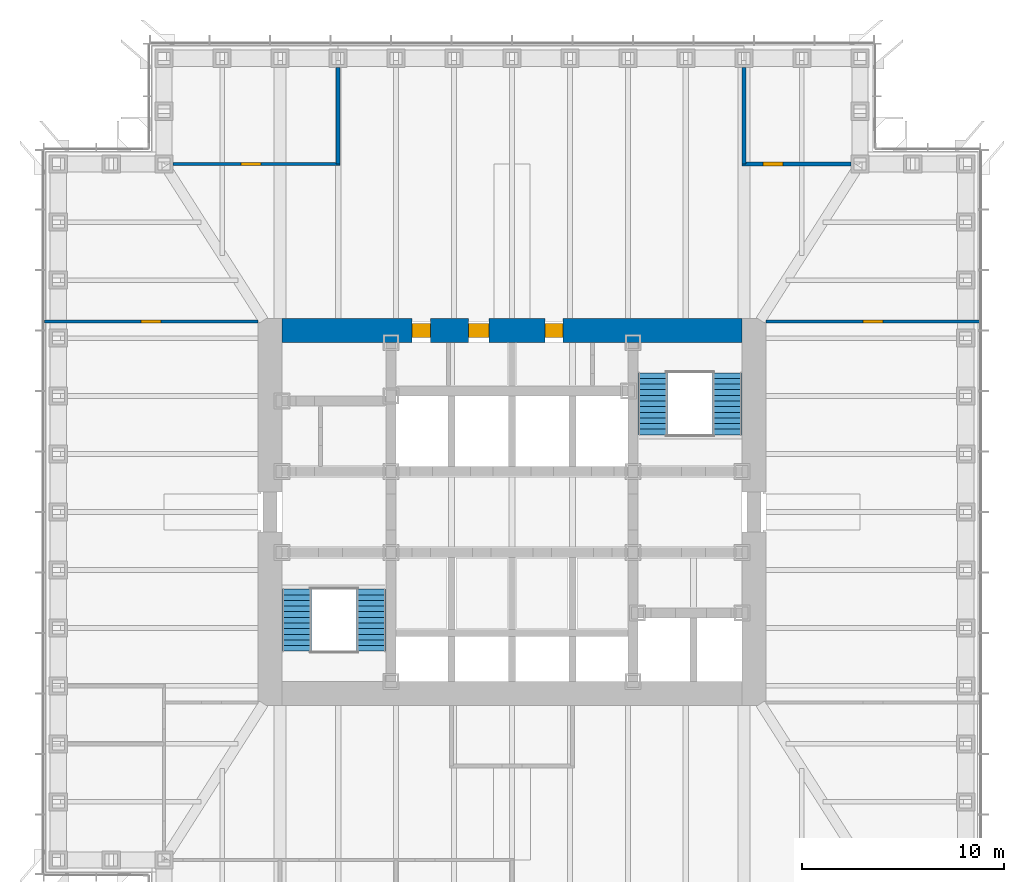
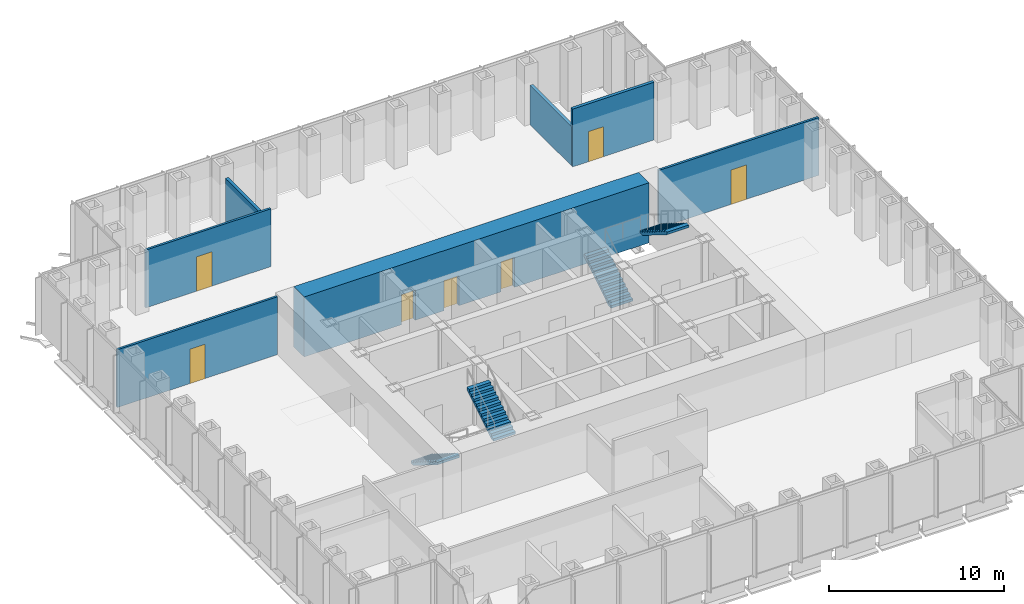
# One storey, part 10 of 17: 7 doors, 7 walls, 4 stair flights, 7 openings, 2 elements without a shape of their own.
"""IFC4 building model written with IfcOpenShell, lengths in metres."""

import ifcopenshell
import ifcopenshell.guid

model = None  # the IFC model being written
_history = None  # IfcOwnerHistory: only IFC2X3 demands one
_inside = {}  # id of a spatial element -> (the spatial element, [elements in it])
_under = {}  # id of a project, library or spatial element -> (it, [spatial elements below it])
_declared = {}  # id of a project -> (the project, [libraries it declares])
_typed = {}  # id of a type object -> (the type object, [elements of that type])
_made_of = {}  # id of a material, layer set ... -> (it, [elements and type objects made of it])


def new_model(schema):
    """Start an empty IFC model of exactly this schema.

    Asked for "IFC4X3", IfcOpenShell would pick the latest addendum, in which some entities
    have other attributes; the version numbers below select the first issue.
    IFC2X3 requires an IfcOwnerHistory on every rooted entity: one is made here for all.
    """
    global model, _history
    if schema == "IFC4X3":
        model = ifcopenshell.file(schema_version=(4, 3, 0, 0))
    else:
        model = ifcopenshell.file(schema=schema)
    _inside.clear()
    _under.clear()
    _declared.clear()
    _typed.clear()
    _made_of.clear()
    _history = None
    if model.schema == "IFC2X3":
        org = make("IfcOrganization", Name="unknown")
        user = make(
            "IfcPersonAndOrganization",
            ThePerson=make("IfcPerson", FamilyName="unknown"),
            TheOrganization=org,
        )
        app = make(
            "IfcApplication",
            ApplicationDeveloper=org,
            Version="unknown",
            ApplicationFullName="unknown",
            ApplicationIdentifier="unknown",
        )
        _history = make(
            "IfcOwnerHistory",
            OwningUser=user,
            OwningApplication=app,
            ChangeAction="ADDED",
            CreationDate=0,
        )
    return model


def make(cls, **values):
    """One entity of the class cls with the attributes given. An attribute that is None is left unset."""
    return model.create_entity(
        cls, **{name: value for name, value in values.items() if value is not None}
    )


def rooted(cls, **values):
    """An entity with a GlobalId (a new one), such as an element, a storey or a relation."""
    return make(cls, GlobalId=ifcopenshell.guid.new(), OwnerHistory=_history, **values)


def si_unit(unit_type, name, prefix=None):
    """IfcSIUnit, for example si_unit("LENGTHUNIT", "METRE", prefix="MILLI")."""
    return make("IfcSIUnit", UnitType=unit_type, Prefix=prefix, Name=name)


def assignment(units):
    """IfcUnitAssignment: the units of a project."""
    return None if units is None else make("IfcUnitAssignment", Units=units)


def point(xyz):
    """IfcCartesianPoint."""
    return None if xyz is None else make("IfcCartesianPoint", Coordinates=xyz)


def direction(xyz):
    """IfcDirection."""
    return None if xyz is None else make("IfcDirection", DirectionRatios=xyz)


def frame(location, z_axis=None, x_axis=None):
    """IfcAxis2Placement3D, a coordinate frame: its origin and axes. An axis left out is left unset."""
    return make(
        "IfcAxis2Placement3D",
        Location=point(location),
        Axis=direction(z_axis),
        RefDirection=direction(x_axis),
    )


def frame_2d(location, x_axis=None):
    """IfcAxis2Placement2D, a coordinate frame in the plane: its origin and x axis."""
    return make(
        "IfcAxis2Placement2D", Location=point(location), RefDirection=direction(x_axis)
    )


def origin():
    """The frame at (0, 0, 0) with its axes left unset."""
    return frame((0.0, 0.0, 0.0))


def place(relative_to, where):
    """IfcLocalPlacement: puts the frame where relative to a parent placement (None: the world)."""
    return make(
        "IfcLocalPlacement", PlacementRelTo=relative_to, RelativePlacement=where
    )


def context(
    kind, dimensions, precision=None, world=None, true_north=None, identifier=None
):
    """IfcGeometricRepresentationContext, for example the 3D "Model" context."""
    return make(
        "IfcGeometricRepresentationContext",
        ContextIdentifier=identifier,
        ContextType=kind,
        CoordinateSpaceDimension=dimensions,
        Precision=precision,
        WorldCoordinateSystem=world,
        TrueNorth=true_north,
    )


def subcontext(parent, identifier, kind, view, scale=None):
    """IfcGeometricRepresentationSubContext, for example "Body" below "Model"."""
    return make(
        "IfcGeometricRepresentationSubContext",
        ContextIdentifier=identifier,
        ContextType=kind,
        ParentContext=parent,
        TargetScale=scale,
        TargetView=view,
    )


def project(units=None, contexts=None):
    """IfcProject with its units and contexts."""
    return rooted(
        "IfcProject",
        Name="project",
        RepresentationContexts=contexts,
        UnitsInContext=assignment(units),
    )


def spatial(cls, under=None, at=None, **own):
    """A site, building, storey or space (cls), placed at a placement, below another one or the project."""
    s = rooted(cls, ObjectPlacement=at, **own)
    if under is not None:
        _under.setdefault(under.id(), (under, []))[1].append(s)
    return s


def polyline(points):
    """IfcPolyline through the points."""
    return make("IfcPolyline", Points=[point(p) for p in points])


def profile(cls, at=None, kind="AREA", **sizes):
    """A parametric profile (cls). Its sizes go by their IFC names, for example OverallWidth=200.0."""
    return make(cls, ProfileType=kind, Position=at, **sizes)


def rectangle(**sizes):
    """IfcRectangleProfileDef."""
    return profile("IfcRectangleProfileDef", **sizes)


def outline(outer, holes=None, kind="AREA"):
    """IfcArbitraryClosedProfileDef: a profile drawn as a closed curve; with holes, ...WithVoids."""
    if holes is None:
        return make("IfcArbitraryClosedProfileDef", ProfileType=kind, OuterCurve=outer)
    return make(
        "IfcArbitraryProfileDefWithVoids",
        ProfileType=kind,
        OuterCurve=outer,
        InnerCurves=holes,
    )


def extrude(swept, where, along, depth):
    """IfcExtrudedAreaSolid: the profile swept, set in the frame where, extruded along a direction by depth."""
    return make(
        "IfcExtrudedAreaSolid",
        SweptArea=swept,
        Position=where,
        ExtrudedDirection=direction(along),
        Depth=depth,
    )


def shape(context_of_items, identifier, shape_type, items):
    """IfcShapeRepresentation: the items that make up one representation, for example the "Body"."""
    return make(
        "IfcShapeRepresentation",
        ContextOfItems=context_of_items,
        RepresentationIdentifier=identifier,
        RepresentationType=shape_type,
        Items=items,
    )


def material(Name=None, Category=None):
    """IfcMaterial."""
    return make("IfcMaterial", Name=Name, Category=Category)


def layer(
    of_material, thickness, ventilated=None, Name=None, Category=None, Priority=None
):
    """IfcMaterialLayer: one layer of a wall or slab, of a material (None: an air gap)."""
    return make(
        "IfcMaterialLayer",
        Material=of_material,
        LayerThickness=thickness,
        IsVentilated=ventilated,
        Name=Name,
        Category=Category,
        Priority=Priority,
    )


def layer_set(layers, Name=None):
    """IfcMaterialLayerSet."""
    return make("IfcMaterialLayerSet", MaterialLayers=layers, LayerSetName=Name)


def made_of(thing, what):
    """Note that an element or type object is made of a material, layer set ...; save() writes the relation."""
    if what is not None:
        _made_of.setdefault(what.id(), (what, []))[1].append(thing)
    return thing


def type_object(cls, material=None, **own):
    """A type object (cls), such as IfcWallType, which elements share."""
    return made_of(rooted(cls, **own), material)


def element(
    cls,
    number,
    at=None,
    inside=None,
    cuts=None,
    type_object=None,
    material=None,
    context=None,
    identifier="Body",
    shape_type=None,
    held_by="IfcProductDefinitionShape",
    body=None,
    shapes=None,
    **own,
):
    """One element of the class cls, such as IfcWall. Its Tag is "e" and its number.

    at: its placement. inside: the storey or other place that contains it. cuts: it is an
    opening in that element (IfcRelVoidsElement). A single representation is given by context,
    identifier, shape_type and body (its items); several are given by shapes. held_by: the class
    of the entity that holds the representations. save() writes the other relations.
    """
    e = rooted(cls, Tag="e%d" % number, ObjectPlacement=at, **own)
    if body is not None:
        shapes = [shape(context, identifier, shape_type, body)]
    if shapes is not None:
        e.Representation = make(held_by, Representations=shapes)
    if inside is not None:
        _inside.setdefault(inside.id(), (inside, []))[1].append(e)
    if cuts is not None:
        rooted(
            "IfcRelVoidsElement", RelatingBuildingElement=cuts, RelatedOpeningElement=e
        )
    if type_object is not None:
        _typed.setdefault(type_object.id(), (type_object, []))[1].append(e)
    return made_of(e, material)


def fill(opening, filler):
    """IfcRelFillsElement: the door or window that sits in an opening."""
    return rooted(
        "IfcRelFillsElement",
        RelatingOpeningElement=opening,
        RelatedBuildingElement=filler,
    )


def aggregate(whole, parts):
    """IfcRelAggregates: a whole, such as a stair, and the parts it consists of."""
    return rooted("IfcRelAggregates", RelatingObject=whole, RelatedObjects=parts)


def save(model, path):
    """Write the relations noted so far, then the file.

    IfcRelAggregates (storeys below a building ...), IfcRelContainedInSpatialStructure (elements
    in a storey), IfcRelDefinesByType, IfcRelAssociatesMaterial and IfcRelDeclares: one each for
    every whole, place, type object, material and project.
    """
    for whole, parts in _under.values():
        aggregate(whole, parts)
    for where, things in _inside.values():
        rooted(
            "IfcRelContainedInSpatialStructure",
            RelatedElements=things,
            RelatingStructure=where,
        )
    for kind, things in _typed.values():
        rooted("IfcRelDefinesByType", RelatedObjects=things, RelatingType=kind)
    for what, things in _made_of.values():
        rooted("IfcRelAssociatesMaterial", RelatedObjects=things, RelatingMaterial=what)
    for by, libraries in _declared.values():
        rooted("IfcRelDeclares", RelatingContext=by, RelatedDefinitions=libraries)
    model.write(path)


model = new_model("IFC4")

# Units and contexts
model_context = context("Model", 3, precision=1e-05, world=origin(), true_north=direction((0.0, 1.0)))
body_context = subcontext(model_context, "Body", "Model", "MODEL_VIEW")
ifc_project = project(units=[si_unit("LENGTHUNIT", "METRE"), si_unit("AREAUNIT", "SQUARE_METRE"), si_unit("VOLUMEUNIT", "CUBIC_METRE"), si_unit("PLANEANGLEUNIT", "RADIAN"), si_unit("MASSUNIT", "GRAM", prefix="KILO")], contexts=[model_context])

# Site, building, storey
site_placement = place(None, origin())
site = spatial("IfcSite", under=ifc_project, at=site_placement, CompositionType="ELEMENT")
building_placement = place(site_placement, origin())
building = spatial("IfcBuilding", under=site, at=building_placement, Name="Daluyong Arena Tower", CompositionType="ELEMENT")
storey_placement = place(building_placement, frame((0.0, 0.0, 112.300048828125)))
storey = spatial("IfcBuildingStorey", under=building, at=storey_placement, Name="L24", CompositionType="ELEMENT", Elevation=112.300048828125)

# Wall, openings, doors
ifc_material_1 = material(Name="Concrete fc' 60 MPa", Category="concrete")
ifc_layer_1 = layer(ifc_material_1, 1.199951171875)
ifc_layer_set_1 = layer_set([ifc_layer_1], Name="Concrete fc' 60 MPa")
wall_type_1 = type_object("IfcWallType", Name="Core wall 1200", PredefinedType="SHEAR", material=ifc_layer_set_1)
wall_1_placement = place(storey_placement, frame((44.60009765625, 89.0, 0.0), z_axis=(0.0, 0.0, 1.0), x_axis=(1.0, 0.0, 0.0)))
wall_1 = element("IfcWall", 1, at=wall_1_placement, inside=storey, type_object=wall_type_1, Name="core wall at L24", PredefinedType="SHEAR", context=body_context, shape_type="SweptSolid", body=[
    extrude(rectangle(XDim=22.7998046875, YDim=1.199951171875, at=frame_2d((11.39990234375, 0.0))), origin(), (0.0, 0.0, 1.0), 4.199951171875),
])
opening_1_placement = place(wall_1_placement, frame((9.25, 0.0, 0.0)))
opening_1 = element("IfcOpeningElement", 2, at=opening_1_placement, cuts=wall_1, Name="Opening 24004", PredefinedType="OPENING", context=body_context, shape_type="SweptSolid", body=[
    extrude(rectangle(XDim=1.0, YDim=2.10009765625, at=frame_2d((0.5, 1.050048828125))), frame((0.0, 0.60986328125, 0.0), z_axis=(0.0, -1.0, 0.0), x_axis=(1.0, 0.0, 0.0)), (0.0, 0.0, 1.0), 1.219970703125),
])
opening_2_placement = place(wall_1_placement, frame((6.449951171875, 0.0, 0.0)))
opening_2 = element("IfcOpeningElement", 3, at=opening_2_placement, cuts=wall_1, Name="Opening 24005", PredefinedType="OPENING", context=body_context, shape_type="SweptSolid", body=[
    extrude(rectangle(XDim=0.89990234375, YDim=2.10009765625, at=frame_2d((0.449951171875, 1.050048828125))), frame((0.0, 0.60986328125, 0.0), z_axis=(0.0, -1.0, 0.0), x_axis=(1.0, 0.0, 0.0)), (0.0, 0.0, 1.0), 1.219970703125),
])
opening_3_placement = place(wall_1_placement, frame((13.02490234375, 0.0, 0.0)))
opening_3 = element("IfcOpeningElement", 4, at=opening_3_placement, cuts=wall_1, Name="Opening 24006", PredefinedType="OPENING", context=body_context, shape_type="SweptSolid", body=[
    extrude(rectangle(XDim=0.89990234375, YDim=2.10009765625, at=frame_2d((0.449951171875, 1.050048828125))), frame((0.0, 0.60986328125, 0.0), z_axis=(0.0, -1.0, 0.0), x_axis=(1.0, 0.0, 0.0)), (0.0, 0.0, 1.0), 1.219970703125),
])
ifc_material_2 = material(Name="Timber door", Category="wood")
door_type_1 = type_object("IfcDoorType", Name="Accessible toilet door 1000", OperationType="SINGLE_SWING_LEFT", PredefinedType="DOOR", material=ifc_material_2)
door_1_placement = place(opening_1_placement, origin())
door_1 = element("IfcDoor", 5, at=door_1_placement, inside=storey, type_object=door_type_1, Name="accessible toilet door 24004", OperationType="SINGLE_SWING_LEFT", OverallHeight=2.10009765625, OverallWidth=1.0, PredefinedType="DOOR", context=body_context, shape_type="SweptSolid", body=[
    extrude(rectangle(XDim=1.0, YDim=2.10009765625, at=frame_2d((0.5, 1.050048828125))), frame((0.0, 0.35009765625, 0.0), z_axis=(0.0, -1.0, 0.0), x_axis=(1.0, 0.0, 0.0)), (0.0, 0.0, 1.0), 0.699951171875),
])
fill(opening_1, door_1)
ifc_material_3 = material(Name="Steel door, fire rated", Category="steel")
door_type_2 = type_object("IfcDoorType", Name="Core store door 900", OperationType="SINGLE_SWING_LEFT", PredefinedType="DOOR", material=ifc_material_3)
door_2_placement = place(opening_3_placement, origin())
door_2 = element("IfcDoor", 6, at=door_2_placement, inside=storey, type_object=door_type_2, Name="stationery store door 24006", OperationType="SINGLE_SWING_LEFT", OverallHeight=2.10009765625, OverallWidth=0.89990234375, PredefinedType="DOOR", context=body_context, shape_type="SweptSolid", body=[
    extrude(rectangle(XDim=0.89990234375, YDim=2.10009765625, at=frame_2d((0.449951171875, 1.050048828125))), frame((0.0, 0.35009765625, 0.0), z_axis=(0.0, -1.0, 0.0), x_axis=(1.0, 0.0, 0.0)), (0.0, 0.0, 1.0), 0.699951171875),
])
fill(opening_3, door_2)
ifc_material_4 = material(Name="Steel door, fire rated", Category="steel")
door_type_3 = type_object("IfcDoorType", Name="Plant room door 900", OperationType="SINGLE_SWING_LEFT", PredefinedType="DOOR", material=ifc_material_4)
door_3_placement = place(opening_2_placement, origin())
door_3 = element("IfcDoor", 7, at=door_3_placement, inside=storey, type_object=door_type_3, Name="comms room door 24005", OperationType="SINGLE_SWING_LEFT", OverallHeight=2.10009765625, OverallWidth=0.89990234375, PredefinedType="DOOR", context=body_context, shape_type="SweptSolid", body=[
    extrude(rectangle(XDim=0.89990234375, YDim=2.10009765625, at=frame_2d((0.449951171875, 1.050048828125))), frame((0.0, 0.35009765625, 0.0), z_axis=(0.0, -1.0, 0.0), x_axis=(1.0, 0.0, 0.0)), (0.0, 0.0, 1.0), 0.699951171875),
])
fill(opening_2, door_3)

# Wall, opening, door
ifc_material_5 = material(Name="Glazed aluminium partition", Category="aluminium")
ifc_layer_2 = layer(ifc_material_5, 0.14990234375)
ifc_layer_set_2 = layer_set([ifc_layer_2], Name="Glazed aluminium partition")
wall_type_2 = type_object("IfcWallType", Name="Glazed partition 150", PredefinedType="PARTITIONING", material=ifc_layer_set_2)
wall_2_placement = place(storey_placement, frame((32.81005859375, 89.449951171875, 0.0), z_axis=(0.0, 0.0, 1.0), x_axis=(1.0, 0.0, 0.0)))
wall_2 = element("IfcWall", 8, at=wall_2_placement, inside=storey, type_object=wall_type_2, Name="glazed partition at L24", PredefinedType="PARTITIONING", context=body_context, shape_type="SweptSolid", body=[
    extrude(rectangle(XDim=10.58984375, YDim=0.14990234375, at=frame_2d((5.294921875, 0.0))), origin(), (0.0, 0.0, 1.0), 4.0400390625),
])
opening_4_placement = place(wall_2_placement, frame((4.794921875, 0.0, 0.0)))
opening_4 = element("IfcOpeningElement", 9, at=opening_4_placement, cuts=wall_2, Name="Opening 24035", PredefinedType="OPENING", context=body_context, shape_type="SweptSolid", body=[
    extrude(rectangle(XDim=1.0, YDim=2.39990234375, at=frame_2d((0.5, 1.199951171875))), frame((0.0, 0.0849609375, 0.0), z_axis=(0.0, -1.0, 0.0), x_axis=(1.0, 0.0, 0.0)), (0.0, 0.0, 1.0), 0.169921875),
])
ifc_material_6 = material(Name="Glazed aluminium door", Category="aluminium")
door_type_4 = type_object("IfcDoorType", Name="Meeting room glazed door 1000", OperationType="SINGLE_SWING_RIGHT", PredefinedType="DOOR", material=ifc_material_6)
door_4_placement = place(opening_4_placement, origin())
door_4 = element("IfcDoor", 10, at=door_4_placement, inside=storey, type_object=door_type_4, Name="team area screen door 24035", OperationType="SINGLE_SWING_RIGHT", OverallHeight=2.39990234375, OverallWidth=1.0, PredefinedType="DOOR", context=body_context, shape_type="SweptSolid", body=[
    extrude(rectangle(XDim=1.0, YDim=2.39990234375, at=frame_2d((0.5, 1.199951171875))), frame((0.0, 0.07470703125, 0.0), z_axis=(0.0, -1.0, 0.0), x_axis=(1.0, 0.0, 0.0)), (0.0, 0.0, 1.0), 0.1494140625),
])
fill(opening_4, door_4)

wall_3_placement = place(storey_placement, frame((68.60009765625, 89.449951171875, 0.0), z_axis=(0.0, 0.0, 1.0), x_axis=(1.0, 0.0, 0.0)))
wall_3 = element("IfcWall", 11, at=wall_3_placement, inside=storey, type_object=wall_type_2, Name="glazed partition at L24", PredefinedType="PARTITIONING", context=body_context, shape_type="SweptSolid", body=[
    extrude(rectangle(XDim=10.58984375, YDim=0.14990234375, at=frame_2d((5.294921875, 0.0))), origin(), (0.0, 0.0, 1.0), 4.0400390625),
])
opening_5_placement = place(wall_3_placement, frame((4.794921875, 0.0, 0.0)))
opening_5 = element("IfcOpeningElement", 12, at=opening_5_placement, cuts=wall_3, Name="Opening 24037", PredefinedType="OPENING", context=body_context, shape_type="SweptSolid", body=[
    extrude(rectangle(XDim=1.0, YDim=2.39990234375, at=frame_2d((0.5, 1.199951171875))), frame((0.0, 0.0849609375, 0.0), z_axis=(0.0, -1.0, 0.0), x_axis=(1.0, 0.0, 0.0)), (0.0, 0.0, 1.0), 0.169921875),
])
door_5_placement = place(opening_5_placement, origin())
door_5 = element("IfcDoor", 13, at=door_5_placement, inside=storey, type_object=door_type_4, Name="team area screen door 24037", OperationType="SINGLE_SWING_RIGHT", OverallHeight=2.39990234375, OverallWidth=1.0, PredefinedType="DOOR", context=body_context, shape_type="SweptSolid", body=[
    extrude(rectangle(XDim=1.0, YDim=2.39990234375, at=frame_2d((0.5, 1.199951171875))), frame((0.0, 0.07470703125, 0.0), z_axis=(0.0, -1.0, 0.0), x_axis=(1.0, 0.0, 0.0)), (0.0, 0.0, 1.0), 0.1494140625),
])
fill(opening_5, door_5)

wall_4_placement = place(storey_placement, frame((39.199951171875, 97.25, 0.0), z_axis=(0.0, 0.0, 1.0), x_axis=(1.0, 0.0, 0.0)))
wall_4 = element("IfcWall", 14, at=wall_4_placement, inside=storey, type_object=wall_type_2, Name="glazed partition at L24", PredefinedType="PARTITIONING", context=body_context, shape_type="SweptSolid", body=[
    extrude(rectangle(XDim=8.275146484375, YDim=0.14990234375, at=frame_2d((4.1376953125, 0.0))), origin(), (0.0, 0.0, 1.0), 4.0400390625),
])
opening_6_placement = place(wall_4_placement, frame((3.362548828125, 0.0, 0.0)))
opening_6 = element("IfcOpeningElement", 15, at=opening_6_placement, cuts=wall_4, Name="Opening 24029", PredefinedType="OPENING", context=body_context, shape_type="SweptSolid", body=[
    extrude(rectangle(XDim=1.0, YDim=2.39990234375, at=frame_2d((0.5, 1.199951171875))), frame((0.0, 0.0849609375, 0.0), z_axis=(0.0, -1.0, 0.0), x_axis=(1.0, 0.0, 0.0)), (0.0, 0.0, 1.0), 0.169921875),
])
door_6_placement = place(opening_6_placement, origin())
door_6 = element("IfcDoor", 16, at=door_6_placement, inside=storey, type_object=door_type_4, Name="meeting room door 24029", OperationType="SINGLE_SWING_RIGHT", OverallHeight=2.39990234375, OverallWidth=1.0, PredefinedType="DOOR", context=body_context, shape_type="SweptSolid", body=[
    extrude(rectangle(XDim=1.0, YDim=2.39990234375, at=frame_2d((0.5, 1.199951171875))), frame((0.0, 0.07470703125, 0.0), z_axis=(0.0, -1.0, 0.0), x_axis=(1.0, 0.0, 0.0)), (0.0, 0.0, 1.0), 0.1494140625),
])
fill(opening_6, door_6)

# Walls
ifc_material_7 = material(Name="Concrete block partition", Category="concrete")
ifc_layer_3 = layer(ifc_material_7, 0.199951171875)
ifc_layer_set_3 = layer_set([ifc_layer_3], Name="Concrete block partition")
wall_type_3 = type_object("IfcWallType", Name="Partition 200", PredefinedType="PARTITIONING", material=ifc_layer_set_3)
wall_5_placement = place(storey_placement, frame((47.375, 97.25, 0.0), z_axis=(0.0, 0.0, 1.0), x_axis=(0.0, 1.0, 0.0)))
element("IfcWall", 17, at=wall_5_placement, inside=storey, type_object=wall_type_3, Name="partition at L24", PredefinedType="PARTITIONING", context=body_context, shape_type="SweptSolid", body=[
    extrude(rectangle(XDim=4.800048828125, YDim=0.199951171875, at=frame_2d((2.39990234375, 0.0))), origin(), (0.0, 0.0, 1.0), 3.27783203125),
])
wall_6_placement = place(storey_placement, frame((67.5, 97.25, 0.0), z_axis=(0.0, 0.0, 1.0), x_axis=(0.0, 1.0, 0.0)))
element("IfcWall", 18, at=wall_6_placement, inside=storey, type_object=wall_type_3, Name="partition at L24", PredefinedType="PARTITIONING", context=body_context, shape_type="SweptSolid", body=[
    extrude(rectangle(XDim=4.800048828125, YDim=0.199951171875, at=frame_2d((2.39990234375, 0.0))), origin(), (0.0, 0.0, 1.0), 2.739990234375),
])

# Wall, opening, door
wall_7_placement = place(storey_placement, frame((67.39990234375, 97.25, 0.0), z_axis=(0.0, 0.0, 1.0), x_axis=(1.0, 0.0, 0.0)))
wall_7 = element("IfcWall", 19, at=wall_7_placement, inside=storey, type_object=wall_type_3, Name="partition at L24", PredefinedType="PARTITIONING", context=body_context, shape_type="SweptSolid", body=[
    extrude(rectangle(XDim=5.400146484375, YDim=0.199951171875, at=frame_2d((2.7001953125, 0.0))), origin(), (0.0, 0.0, 1.0), 4.0400390625),
])
opening_7_placement = place(wall_7_placement, frame((1.03759765625, 0.0, 0.0)))
opening_7 = element("IfcOpeningElement", 20, at=opening_7_placement, cuts=wall_7, Name="Opening 24030", PredefinedType="OPENING", context=body_context, shape_type="SweptSolid", body=[
    extrude(rectangle(XDim=1.0, YDim=2.10009765625, at=frame_2d((0.5, 1.050048828125))), frame((0.0, 0.10986328125, 0.0), z_axis=(0.0, -1.0, 0.0), x_axis=(1.0, 0.0, 0.0)), (0.0, 0.0, 1.0), 0.219970703125),
])
ifc_material_8 = material(Name="Timber door", Category="wood")
door_type_5 = type_object("IfcDoorType", Name="Room door 1000", OperationType="SINGLE_SWING_LEFT", PredefinedType="DOOR", material=ifc_material_8)
door_7_placement = place(opening_7_placement, origin())
door_7 = element("IfcDoor", 21, at=door_7_placement, inside=storey, type_object=door_type_5, Name="pantry door 24030", OperationType="SINGLE_SWING_LEFT", OverallHeight=2.10009765625, OverallWidth=1.0, PredefinedType="DOOR", context=body_context, shape_type="SweptSolid", body=[
    extrude(rectangle(XDim=1.0, YDim=2.10009765625, at=frame_2d((0.5, 1.050048828125))), frame((0.0, 0.099609375, 0.0), z_axis=(0.0, -1.0, 0.0), x_axis=(1.0, 0.0, 0.0)), (0.0, 0.0, 1.0), 0.199462890625),
])
fill(opening_7, door_7)

# Stair, stair flights
ifc_material_9 = material(Name="Concrete fc' 35 MPa", Category="concrete")
stair_type = type_object("IfcStairType", Name="Core exit stair", PredefinedType="HALF_TURN_STAIR", material=ifc_material_9)
stair_1_placement = place(storey_placement, origin())
stair_1 = element("IfcStair", 22, at=stair_1_placement, inside=storey, type_object=stair_type, Name="exit stair A L24", PredefinedType="HALF_TURN_STAIR")
ifc_material_10 = material(Name="Concrete fc' 35 MPa", Category="concrete")
stair_flight_type = type_object("IfcStairFlightType", Name="Core stair flight", PredefinedType="STRAIGHT", material=ifc_material_10)
stair_flight_1_placement = place(storey_placement, frame((45.324951171875, 76.175048828125, 0.0), z_axis=(0.0, 0.0, 1.0), x_axis=(0.0, -1.0, 0.0)))
stair_flight_1 = element("IfcStairFlight", 23, at=stair_flight_1_placement, type_object=stair_flight_type, Name="STA flight 1", NumberOfRisers=12, NumberOfTreads=11, PredefinedType="STRAIGHT", RiserHeight=0.175, TreadLength=0.28, context=body_context, shape_type="SweptSolid", body=[
    extrude(outline(polyline([(0.0, 0.0), (0.0, 0.175048828125), (0.280029296875, 0.175048828125), (0.280029296875, 0.35009765625), (0.56005859375, 0.35009765625), (0.56005859375, 0.52490234375), (0.840087890625, 0.52490234375), (0.840087890625, 0.699951171875), (1.1201171875, 0.699951171875), (1.1201171875, 0.875), (1.39990234375, 0.875), (1.39990234375, 1.050048828125), (1.679931640625, 1.050048828125), (1.679931640625, 1.22509765625), (1.9599609375, 1.22509765625), (1.9599609375, 1.39990234375), (2.239990234375, 1.39990234375), (2.239990234375, 1.574951171875), (2.52001953125, 1.574951171875), (2.52001953125, 1.75), (2.800048828125, 1.75), (2.800048828125, 1.925048828125), (3.080078125, 1.925048828125), (3.080078125, 2.10009765625), (3.080078125, 1.748291015625), (0.28271484375, 0.0), (0.0, 0.0)])), frame((0.0, 0.72509765625, 0.0), z_axis=(0.0, -1.0, 0.0), x_axis=(1.0, 0.0, 0.0)), (0.0, 0.0, 1.0), 1.449951171875),
])
stair_flight_2_placement = place(storey_placement, frame((49.02490234375, 73.094970703125, 2.099853515625), z_axis=(0.0, 0.0, 1.0), x_axis=(0.0, 1.0, 0.0)))
stair_flight_2 = element("IfcStairFlight", 24, at=stair_flight_2_placement, type_object=stair_flight_type, Name="STA flight 2", NumberOfRisers=12, NumberOfTreads=11, PredefinedType="STRAIGHT", RiserHeight=0.175, TreadLength=0.28, context=body_context, shape_type="SweptSolid", body=[
    extrude(outline(polyline([(0.0, 0.0), (0.0, 0.175048828125), (0.280029296875, 0.175048828125), (0.280029296875, 0.35009765625), (0.56005859375, 0.35009765625), (0.56005859375, 0.52490234375), (0.840087890625, 0.52490234375), (0.840087890625, 0.699951171875), (1.1201171875, 0.699951171875), (1.1201171875, 0.875), (1.39990234375, 0.875), (1.39990234375, 1.050048828125), (1.679931640625, 1.050048828125), (1.679931640625, 1.22509765625), (1.9599609375, 1.22509765625), (1.9599609375, 1.39990234375), (2.239990234375, 1.39990234375), (2.239990234375, 1.574951171875), (2.52001953125, 1.574951171875), (2.52001953125, 1.75), (2.800048828125, 1.75), (2.800048828125, 1.925048828125), (3.080078125, 1.925048828125), (3.080078125, 2.10009765625), (3.080078125, 1.748291015625), (0.28271484375, 0.0), (0.0, 0.0)])), frame((0.0, 0.72509765625, 0.0), z_axis=(0.0, -1.0, 0.0), x_axis=(1.0, 0.0, 0.0)), (0.0, 0.0, 1.0), 1.449951171875),
])
aggregate(stair_1, [stair_flight_1, stair_flight_2])

stair_2_placement = place(storey_placement, origin())
stair_2 = element("IfcStair", 25, at=stair_2_placement, inside=storey, type_object=stair_type, Name="exit stair B L24", PredefinedType="HALF_TURN_STAIR")
stair_flight_3_placement = place(storey_placement, frame((62.97509765625, 83.824951171875, 0.0), z_axis=(0.0, 0.0, 1.0), x_axis=(0.0, 1.0, 0.0)))
stair_flight_3 = element("IfcStairFlight", 26, at=stair_flight_3_placement, type_object=stair_flight_type, Name="STB flight 1", NumberOfRisers=12, NumberOfTreads=11, PredefinedType="STRAIGHT", RiserHeight=0.175, TreadLength=0.28, context=body_context, shape_type="SweptSolid", body=[
    extrude(outline(polyline([(0.0, 0.0), (0.0, 0.175048828125), (0.280029296875, 0.175048828125), (0.280029296875, 0.35009765625), (0.56005859375, 0.35009765625), (0.56005859375, 0.52490234375), (0.840087890625, 0.52490234375), (0.840087890625, 0.699951171875), (1.1201171875, 0.699951171875), (1.1201171875, 0.875), (1.39990234375, 0.875), (1.39990234375, 1.050048828125), (1.679931640625, 1.050048828125), (1.679931640625, 1.22509765625), (1.9599609375, 1.22509765625), (1.9599609375, 1.39990234375), (2.239990234375, 1.39990234375), (2.239990234375, 1.574951171875), (2.52001953125, 1.574951171875), (2.52001953125, 1.75), (2.800048828125, 1.75), (2.800048828125, 1.925048828125), (3.080078125, 1.925048828125), (3.080078125, 2.10009765625), (3.080078125, 1.748291015625), (0.28271484375, 0.0), (0.0, 0.0)])), frame((0.0, 0.72509765625, 0.0), z_axis=(0.0, -1.0, 0.0), x_axis=(1.0, 0.0, 0.0)), (0.0, 0.0, 1.0), 1.449951171875),
])
stair_flight_4_placement = place(storey_placement, frame((66.675048828125, 86.905029296875, 2.099853515625), z_axis=(0.0, 0.0, 1.0), x_axis=(0.0, -1.0, 0.0)))
stair_flight_4 = element("IfcStairFlight", 27, at=stair_flight_4_placement, type_object=stair_flight_type, Name="STB flight 2", NumberOfRisers=12, NumberOfTreads=11, PredefinedType="STRAIGHT", RiserHeight=0.175, TreadLength=0.28, context=body_context, shape_type="SweptSolid", body=[
    extrude(outline(polyline([(0.0, 0.0), (0.0, 0.175048828125), (0.280029296875, 0.175048828125), (0.280029296875, 0.35009765625), (0.56005859375, 0.35009765625), (0.56005859375, 0.52490234375), (0.840087890625, 0.52490234375), (0.840087890625, 0.699951171875), (1.1201171875, 0.699951171875), (1.1201171875, 0.875), (1.39990234375, 0.875), (1.39990234375, 1.050048828125), (1.679931640625, 1.050048828125), (1.679931640625, 1.22509765625), (1.9599609375, 1.22509765625), (1.9599609375, 1.39990234375), (2.239990234375, 1.39990234375), (2.239990234375, 1.574951171875), (2.52001953125, 1.574951171875), (2.52001953125, 1.75), (2.800048828125, 1.75), (2.800048828125, 1.925048828125), (3.080078125, 1.925048828125), (3.080078125, 2.10009765625), (3.080078125, 1.748291015625), (0.28271484375, 0.0), (0.0, 0.0)])), frame((0.0, 0.72509765625, 0.0), z_axis=(0.0, -1.0, 0.0), x_axis=(1.0, 0.0, 0.0)), (0.0, 0.0, 1.0), 1.449951171875),
])
aggregate(stair_2, [stair_flight_3, stair_flight_4])

save(model, "model.ifc")
